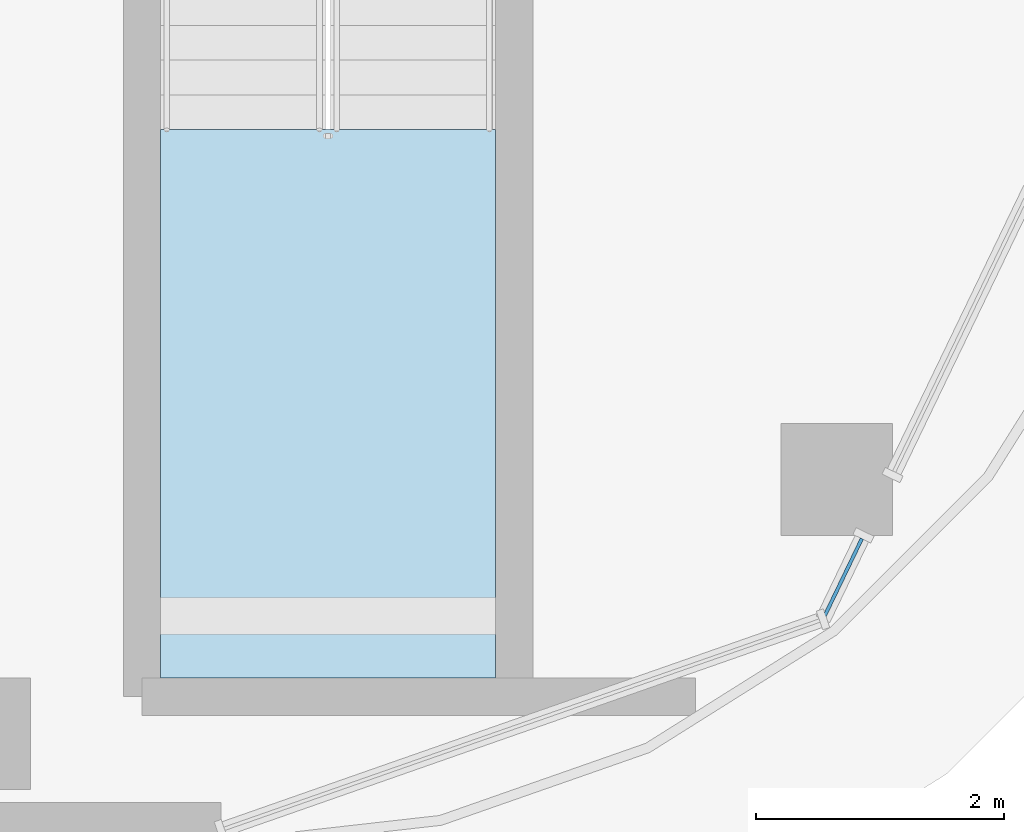
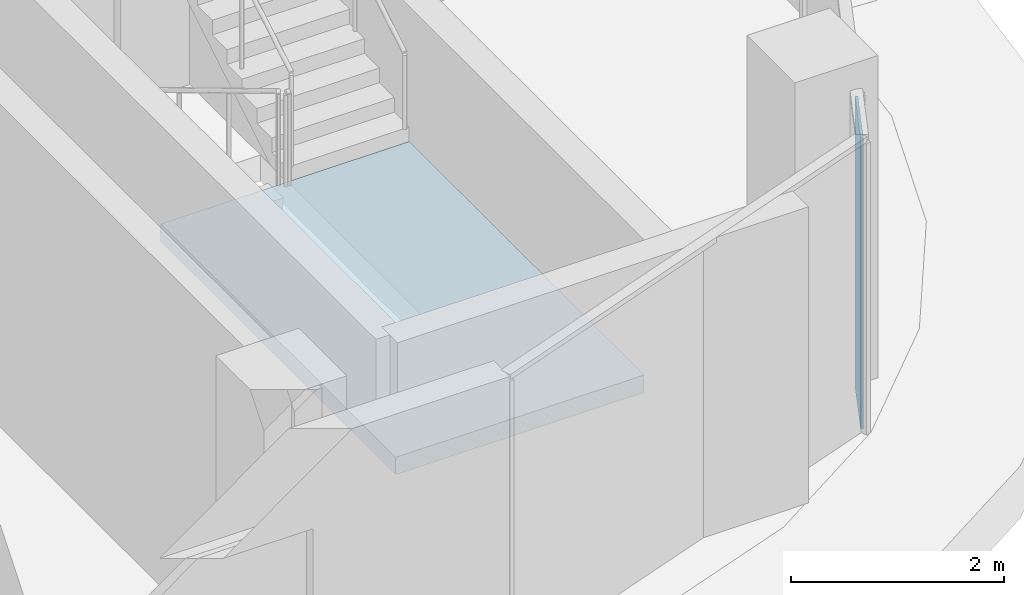
# One storey, part 9 of 22: 1 plate, 1 slab, 2 elements without a shape of their own.
"""IFC4 building model written with IfcOpenShell, lengths in metres."""

from ifc_helpers import new_model, si_unit, direction, frame, origin, origin_2d, place, context, subcontext, project, spatial, polyline, rectangle, outline, extrude, material, layer, layer_set, type_object, element, aggregate, save


model = new_model("IFC4")

# Units and contexts
model_context = context("Model", 3, precision=1e-05, world=origin(), true_north=direction((0.0, 1.0)))
body_context = subcontext(model_context, "Body", "Model", "MODEL_VIEW")
ifc_project = project(units=[si_unit("LENGTHUNIT", "METRE"), si_unit("AREAUNIT", "SQUARE_METRE"), si_unit("VOLUMEUNIT", "CUBIC_METRE"), si_unit("PLANEANGLEUNIT", "RADIAN"), si_unit("MASSUNIT", "GRAM", prefix="KILO")], contexts=[model_context])

# Site, building, storey
site_placement = place(None, origin())
site = spatial("IfcSite", under=ifc_project, at=site_placement, CompositionType="ELEMENT")
building_placement = place(site_placement, origin())
building = spatial("IfcBuilding", under=site, at=building_placement, Name="Ogive Portal Towers", CompositionType="ELEMENT")
storey_placement = place(building_placement, frame((0.0, 0.0, 206.89990234375)))
storey = spatial("IfcBuildingStorey", under=building, at=storey_placement, Name="L51", CompositionType="ELEMENT", Elevation=206.89990234375)

# Curtain wall, plate
ifc_material_1 = material(Name="Glass, clear low-iron insulated glazing", Category="glass")
curtain_wall_type = type_object("IfcCurtainWallType", Name="CW FRONT RIBBON 4500", PredefinedType="NOTDEFINED", material=ifc_material_1)
curtain_wall_placement = place(storey_placement, origin())
curtain_wall = element("IfcCurtainWall", 1, at=curtain_wall_placement, inside=storey, type_object=curtain_wall_type, Name="A:L51:f06:cwa~0", PredefinedType="NOTDEFINED")
ifc_layer_1 = layer(ifc_material_1, 0.028076171875)
ifc_layer_set_1 = layer_set([ifc_layer_1], Name="CW PANEL IGU 28")
plate_type = type_object("IfcPlateType", Name="CW PANEL IGU 28", PredefinedType="CURTAIN_PANEL", material=ifc_layer_set_1)
plate_placement = place(storey_placement, frame((92.502685546875, 22.76171875, 0.0), z_axis=(0.0, 0.0, 1.0), x_axis=(0.433883739113, 0.900968867905, 0.0)))
plate = element("IfcPlate", 2, at=plate_placement, type_object=plate_type, Name="panel", PredefinedType="CURTAIN_PANEL", context=body_context, shape_type="SweptSolid", body=[
    extrude(rectangle(XDim=0.691162109375, YDim=0.028076171875, at=origin_2d()), origin(), (0.0, 0.0, 1.0), 3.340087890625),
])
aggregate(curtain_wall, [plate])

# Stair, slab
ifc_material_2 = material(Name="Concrete C40/50", Category="concrete")
stair_type = type_object("IfcStairType", Name="INT-STAIR", PredefinedType="HALF_TURN_STAIR", material=ifc_material_2)
stair_placement = place(storey_placement, origin())
stair = element("IfcStair", 3, at=stair_placement, inside=storey, type_object=stair_type, Name="L51 Exit Stair ST-A4", PredefinedType="HALF_TURN_STAIR")
ifc_layer_2 = layer(ifc_material_2, 0.199951171875)
ifc_layer_set_2 = layer_set([ifc_layer_2], Name="INT-LANDING")
slab_type = type_object("IfcSlabType", Name="INT-LANDING", PredefinedType="LANDING", material=ifc_layer_set_2)
slab_placement = place(storey_placement, frame((0.0, 0.0, 1.650146484375)))
slab = element("IfcSlab", 4, at=slab_placement, type_object=slab_type, Name="ST-A4 landing 1", PredefinedType="LANDING", context=body_context, shape_type="SweptSolid", body=[
    extrude(outline(polyline([(87.0, 26.3701171875), (87.0, 21.949951171875), (89.699951171875, 21.949951171875), (89.699951171875, 26.3701171875), (87.0, 26.3701171875)])), origin(), (0.0, 0.0, 1.0), 0.199951171875),
])
aggregate(stair, [slab])

save(model, "model.ifc")
